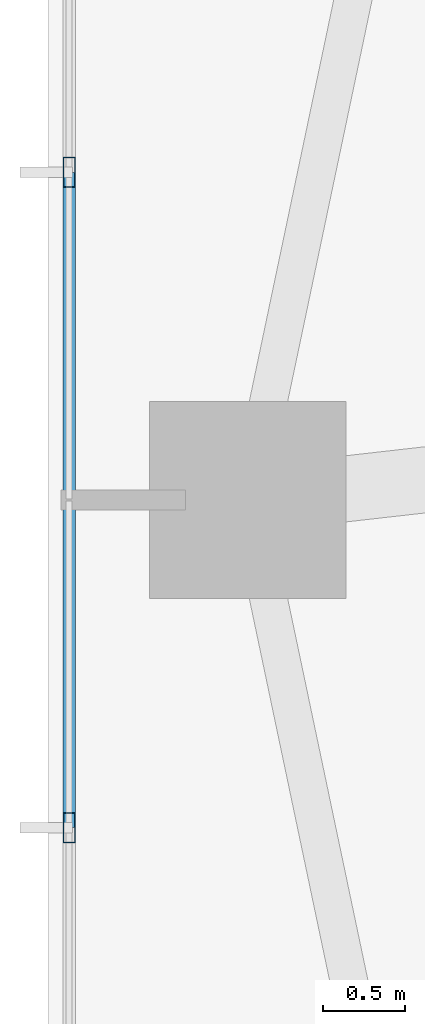
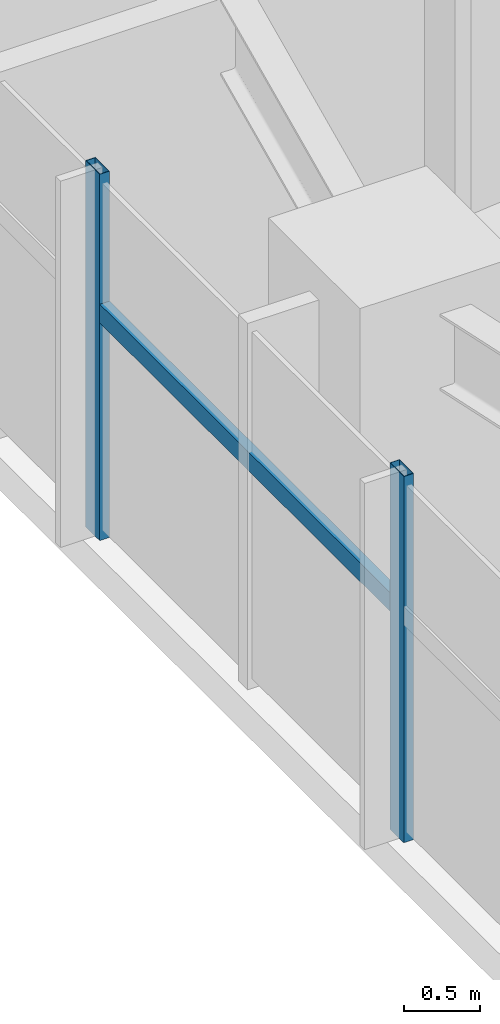
# One storey, part 4 of 25: 3 members, 1 element without a shape of its own.
"""IFC4 building model written with IfcOpenShell, lengths in metres."""

from ifc_helpers import new_model, si_unit, direction, frame, origin, origin_2d, place, context, subcontext, project, spatial, hollow_rectangle, extrude, source, transform, mapped, material, material_profile, profile_set, type_object, type_shapes, element, aggregate, save


model = new_model("IFC4")

# Units and contexts
model_context = context("Model", 3, precision=1e-05, world=origin(), true_north=direction((0.0, 1.0)))
body_context = subcontext(model_context, "Body", "Model", "MODEL_VIEW")
ifc_project = project(units=[si_unit("LENGTHUNIT", "METRE"), si_unit("AREAUNIT", "SQUARE_METRE"), si_unit("VOLUMEUNIT", "CUBIC_METRE"), si_unit("PLANEANGLEUNIT", "RADIAN"), si_unit("MASSUNIT", "GRAM", prefix="KILO")], contexts=[model_context])

# Site, building, storey
site_placement = place(None, origin())
site = spatial("IfcSite", under=ifc_project, at=site_placement, CompositionType="ELEMENT")
building_placement = place(site_placement, origin())
building = spatial("IfcBuilding", under=site, at=building_placement, Name="Astriad Promenade Condominiums", CompositionType="ELEMENT")
storey_placement = place(building_placement, frame((0.0, 0.0, 61.39990234375)))
storey = spatial("IfcBuildingStorey", under=building, at=storey_placement, Name="L17", CompositionType="ELEMENT", Elevation=61.39990234375)

# Curtain wall, members
ifc_material_1 = material(Name="Anodised aluminium Black Dark Glass Unitised", Category="aluminium")
curtain_wall_type = type_object("IfcCurtainWallType", Name="CW-B1-DARK", PredefinedType="USERDEFINED", material=ifc_material_1)
curtain_wall_placement = place(storey_placement, origin())
curtain_wall = element("IfcCurtainWall", 1, at=curtain_wall_placement, inside=storey, type_object=curtain_wall_type, Name="CW-L17-W", ObjectType="UNITISED_CURTAIN_WALL", PredefinedType="USERDEFINED")
ifc_material_2 = material(Name="Anodised aluminium 6063-T6 Black", Category="aluminium")
ifc_material_profile_1 = material_profile(ifc_material_2, hollow_rectangle(XDim=0.074951171875, YDim=0.14990234375, WallThickness=0.004150390625, at=origin_2d()), Name="ALU-TRN-75X150")
ifc_profile_set_1 = profile_set([ifc_material_profile_1], Name="Anodised aluminium 6063-T6 Black")
member_type_1 = type_object("IfcMemberType", Name="TRN-ALU-TRN-75X150", PredefinedType="USERDEFINED", material=ifc_profile_set_1)
shared_shape_1 = source(origin(), body_context, "Body", "SweptSolid", [
    extrude(hollow_rectangle(XDim=0.074951171875, YDim=0.14990234375, WallThickness=0.004150390625, at=origin_2d()), origin(), (0.0, 0.0, 1.0), 4.0),
])
type_shapes(member_type_1, [shared_shape_1])
member_1_placement = place(storey_placement, frame((5.929931640625, 13.199951171875, 1.822998046875), z_axis=(0.0, 1.0, 0.0), x_axis=(-1.0, 0.0, 0.0)))
member_1 = element("IfcMember", 2, at=member_1_placement, type_object=member_type_1, Name="CW-L17-W-TRN-02-0", ObjectType="TRANSOM", PredefinedType="USERDEFINED", context=body_context, shape_type="MappedRepresentation", body=[
    mapped(shared_shape_1, transform((0.0, 0.0, 0.0), scale=1.0)),
])
ifc_material_profile_2 = material_profile(ifc_material_2, hollow_rectangle(XDim=0.074951171875, YDim=0.18505859375, WallThickness=0.00439453125, at=origin_2d()), Name="ALU-MUL-75X185")
ifc_profile_set_2 = profile_set([ifc_material_profile_2], Name="Anodised aluminium 6063-T6 Black")
member_type_2 = type_object("IfcMemberType", Name="MUL-ALU-MUL-75X185", PredefinedType="MULLION", material=ifc_profile_set_2)
shared_shape_2 = source(origin(), body_context, "Body", "SweptSolid", [
    extrude(hollow_rectangle(XDim=0.074951171875, YDim=0.18505859375, WallThickness=0.00439453125, at=origin_2d()), origin(), (0.0, 0.0, 1.0), 2.940185546875),
])
type_shapes(member_type_2, [shared_shape_2])
member_2_placement = place(storey_placement, frame((5.929931640625, 13.199951171875, 0.0), z_axis=(0.0, 0.0, 1.0), x_axis=(1.0, 0.0, 0.0)))
member_2 = element("IfcMember", 3, at=member_2_placement, type_object=member_type_2, Name="CW-L17-W-MUL-02", PredefinedType="MULLION", context=body_context, shape_type="MappedRepresentation", body=[
    mapped(shared_shape_2, transform((0.0, 0.0, 0.0), scale=1.0)),
])
member_3_placement = place(storey_placement, frame((5.929931640625, 17.199951171875, 0.0), z_axis=(0.0, 0.0, 1.0), x_axis=(1.0, 0.0, 0.0)))
member_3 = element("IfcMember", 4, at=member_3_placement, type_object=member_type_2, Name="CW-L17-W-MUL-03", PredefinedType="MULLION", context=body_context, shape_type="MappedRepresentation", body=[
    mapped(shared_shape_2, transform((0.0, 0.0, 0.0), scale=1.0)),
])
aggregate(curtain_wall, [member_2, member_3, member_1])

save(model, "model.ifc")
